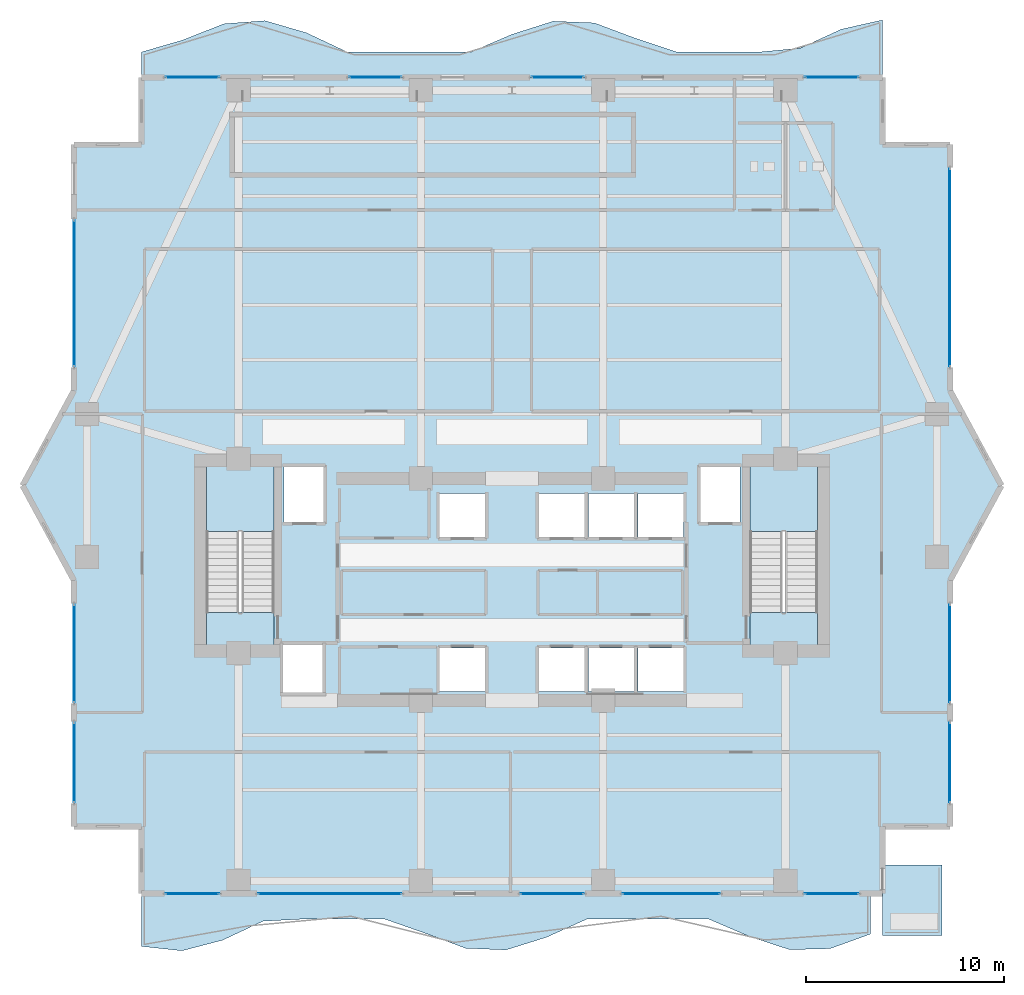
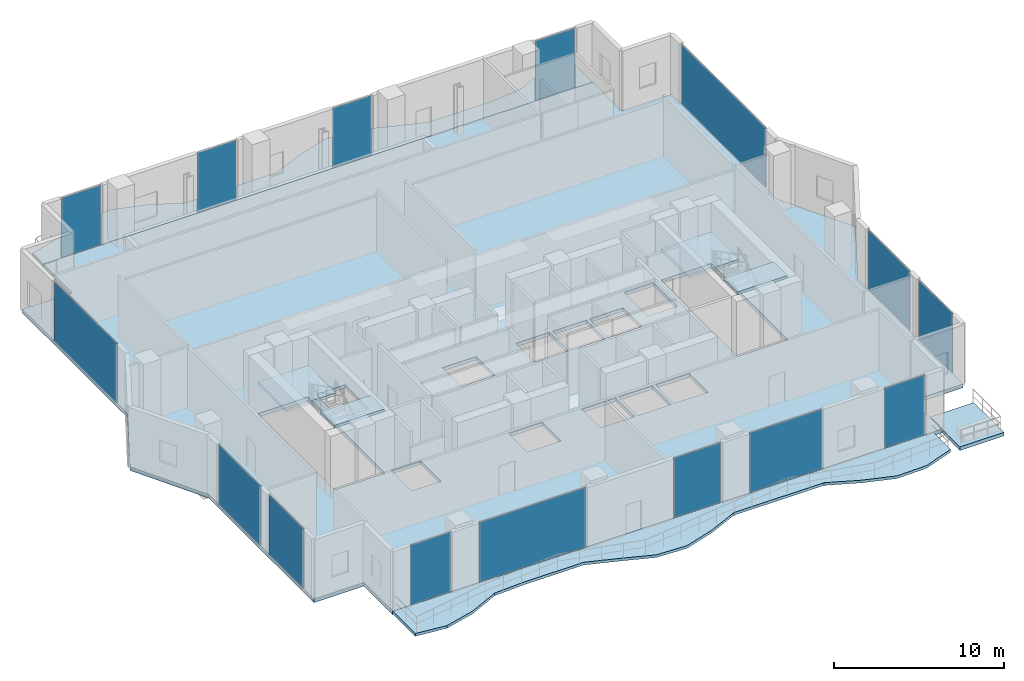
# One storey, part 24 of 33: 15 plates, 8 slabs, 17 elements without a shape of their own.
"""IFC4 building model written with IfcOpenShell, lengths in metres."""

from ifc_helpers import new_model, si_unit, direction, frame, origin, origin_2d, place, context, subcontext, project, spatial, polyline, rectangle, outline, extrude, material, layer, layer_set, type_object, element, aggregate, save


model = new_model("IFC4")

# Units and contexts
model_context = context("Model", 3, precision=1e-05, world=origin(), true_north=direction((0.0, 1.0)))
body_context = subcontext(model_context, "Body", "Model", "MODEL_VIEW")
ifc_project = project(units=[si_unit("LENGTHUNIT", "METRE"), si_unit("AREAUNIT", "SQUARE_METRE"), si_unit("VOLUMEUNIT", "CUBIC_METRE"), si_unit("PLANEANGLEUNIT", "RADIAN"), si_unit("MASSUNIT", "GRAM", prefix="KILO")], contexts=[model_context])

# Site, building, storey
site_placement = place(None, origin())
site = spatial("IfcSite", under=ifc_project, at=site_placement, CompositionType="ELEMENT")
building_placement = place(site_placement, origin())
building = spatial("IfcBuilding", under=site, at=building_placement, Name="Zuhayl Quay Hotel", CompositionType="ELEMENT")
storey_placement = place(building_placement, frame((0.0, 0.0, 168.199951171875)))
storey = spatial("IfcBuildingStorey", under=building, at=storey_placement, Name="L42", CompositionType="ELEMENT", Elevation=168.199951171875)

# Curtain wall, plate
ifc_material_1 = material(Name="Anodised Aluminium 6063-T6", Category="aluminium")
ifc_layer_1 = layer(ifc_material_1, 0.175048828125, Name="Anodised Aluminium 6063-T6", Category="aluminium")
ifc_layer_set_1 = layer_set([ifc_layer_1], Name="Anodised Aluminium 6063-T6")
curtain_wall_type = type_object("IfcCurtainWallType", Name="CW_SYS_Z3", PredefinedType="USERDEFINED", material=ifc_layer_set_1)
curtain_wall_1_placement = place(storey_placement, origin())
curtain_wall_1 = element("IfcCurtainWall", 1, at=curtain_wall_1_placement, inside=storey, type_object=curtain_wall_type, Name="L42 Curtain Wall ENV_L42_E02_CW1", ObjectType="UNITISED CURTAIN WALL", PredefinedType="USERDEFINED")
ifc_material_2 = material(Name="Dark Ceramic-Fritted Solar Glass", Category="glass")
ifc_layer_2 = layer(ifc_material_2, 0.0400390625, Name="Dark Ceramic-Fritted Solar Glass", Category="glass")
ifc_layer_set_2 = layer_set([ifc_layer_2], Name="Dark Ceramic-Fritted Solar Glass")
plate_type = type_object("IfcPlateType", Name="PN_OP_VENT_Z3", PredefinedType="CURTAIN_PANEL", material=ifc_layer_set_2)
plate_1_placement = place(storey_placement, frame((-22.10009765625, -0.97509765625, 0.054931640625), z_axis=(0.0, 0.0, 1.0), x_axis=(0.0, 1.0, 0.0)))
plate_1 = element("IfcPlate", 2, at=plate_1_placement, type_object=plate_type, Name="CW-Z3 panel 1.1", PredefinedType="CURTAIN_PANEL", context=body_context, shape_type="SweptSolid", body=[
    extrude(rectangle(XDim=4.02001953125, YDim=0.0400390625, at=origin_2d()), origin(), (0.0, 0.0, 1.0), 4.27001953125),
])
aggregate(curtain_wall_1, [plate_1])

curtain_wall_2_placement = place(storey_placement, origin())
curtain_wall_2 = element("IfcCurtainWall", 3, at=curtain_wall_2_placement, inside=storey, type_object=curtain_wall_type, Name="L42 Curtain Wall ENV_L42_E02_CW2", ObjectType="UNITISED CURTAIN WALL", PredefinedType="USERDEFINED")
plate_2_placement = place(storey_placement, frame((-22.10009765625, 4.52490234375, 0.054931640625), z_axis=(0.0, 0.0, 1.0), x_axis=(0.0, 1.0, 0.0)))
plate_2 = element("IfcPlate", 4, at=plate_2_placement, type_object=plate_type, Name="CW-Z3 panel 1.1", PredefinedType="CURTAIN_PANEL", context=body_context, shape_type="SweptSolid", body=[
    extrude(rectangle(XDim=4.919921875, YDim=0.0400390625, at=origin_2d()), origin(), (0.0, 0.0, 1.0), 4.27001953125),
])
aggregate(curtain_wall_2, [plate_2])

curtain_wall_3_placement = place(storey_placement, origin())
curtain_wall_3 = element("IfcCurtainWall", 5, at=curtain_wall_3_placement, inside=storey, type_object=curtain_wall_type, Name="L42 Curtain Wall ENV_L42_E05_CW1", ObjectType="UNITISED CURTAIN WALL", PredefinedType="USERDEFINED")
plate_3_placement = place(storey_placement, frame((-22.10009765625, 22.699951171875, 0.054931640625), z_axis=(0.0, 0.0, 1.0), x_axis=(0.0, 1.0, 0.0)))
plate_3 = element("IfcPlate", 6, at=plate_3_placement, type_object=plate_type, Name="CW-Z3 panel 1.1", PredefinedType="CURTAIN_PANEL", context=body_context, shape_type="SweptSolid", body=[
    extrude(rectangle(XDim=7.3701171875, YDim=0.0400390625, at=origin_2d()), origin(), (0.0, 0.0, 1.0), 4.27001953125),
])
aggregate(curtain_wall_3, [plate_3])

curtain_wall_4_placement = place(storey_placement, origin())
curtain_wall_4 = element("IfcCurtainWall", 7, at=curtain_wall_4_placement, inside=storey, type_object=curtain_wall_type, Name="L42 Curtain Wall ENV_L42_N_CW1", ObjectType="UNITISED CURTAIN WALL", PredefinedType="USERDEFINED")
plate_4_placement = place(storey_placement, frame((-16.135009765625, 33.60009765625, 0.054931640625), z_axis=(0.0, 0.0, 1.0), x_axis=(1.0, 0.0, 0.0)))
plate_4 = element("IfcPlate", 8, at=plate_4_placement, type_object=plate_type, Name="CW-Z3 panel 1.1", PredefinedType="CURTAIN_PANEL", context=body_context, shape_type="SweptSolid", body=[
    extrude(rectangle(XDim=2.699951171875, YDim=0.0400390625, at=origin_2d()), origin(), (0.0, 0.0, 1.0), 4.27001953125),
])
aggregate(curtain_wall_4, [plate_4])

curtain_wall_5_placement = place(storey_placement, origin())
curtain_wall_5 = element("IfcCurtainWall", 9, at=curtain_wall_5_placement, inside=storey, type_object=curtain_wall_type, Name="L42 Curtain Wall ENV_L42_N_CW2", ObjectType="UNITISED CURTAIN WALL", PredefinedType="USERDEFINED")
plate_5_placement = place(storey_placement, frame((-6.89990234375, 33.60009765625, 0.054931640625), z_axis=(0.0, 0.0, 1.0), x_axis=(1.0, 0.0, 0.0)))
plate_5 = element("IfcPlate", 10, at=plate_5_placement, type_object=plate_type, Name="CW-Z3 panel 1.1", PredefinedType="CURTAIN_PANEL", context=body_context, shape_type="SweptSolid", body=[
    extrude(rectangle(XDim=2.6298828125, YDim=0.0400390625, at=origin_2d()), origin(), (0.0, 0.0, 1.0), 4.27001953125),
])
aggregate(curtain_wall_5, [plate_5])

curtain_wall_6_placement = place(storey_placement, origin())
curtain_wall_6 = element("IfcCurtainWall", 11, at=curtain_wall_6_placement, inside=storey, type_object=curtain_wall_type, Name="L42 Curtain Wall ENV_L42_N_CW3", ObjectType="UNITISED CURTAIN WALL", PredefinedType="USERDEFINED")
plate_6_placement = place(storey_placement, frame((2.300048828125, 33.60009765625, 0.054931640625), z_axis=(0.0, 0.0, 1.0), x_axis=(1.0, 0.0, 0.0)))
plate_6 = element("IfcPlate", 12, at=plate_6_placement, type_object=plate_type, Name="CW-Z3 panel 1.1", PredefinedType="CURTAIN_PANEL", context=body_context, shape_type="SweptSolid", body=[
    extrude(rectangle(XDim=2.6298828125, YDim=0.0400390625, at=origin_2d()), origin(), (0.0, 0.0, 1.0), 4.27001953125),
])
aggregate(curtain_wall_6, [plate_6])

curtain_wall_7_placement = place(storey_placement, origin())
curtain_wall_7 = element("IfcCurtainWall", 13, at=curtain_wall_7_placement, inside=storey, type_object=curtain_wall_type, Name="L42 Curtain Wall ENV_L42_N_CW4", ObjectType="UNITISED CURTAIN WALL", PredefinedType="USERDEFINED")
plate_7_placement = place(storey_placement, frame((16.135009765625, 33.60009765625, 0.054931640625), z_axis=(0.0, 0.0, 1.0), x_axis=(1.0, 0.0, 0.0)))
plate_7 = element("IfcPlate", 14, at=plate_7_placement, type_object=plate_type, Name="CW-Z3 panel 1.1", PredefinedType="CURTAIN_PANEL", context=body_context, shape_type="SweptSolid", body=[
    extrude(rectangle(XDim=2.699951171875, YDim=0.0400390625, at=origin_2d()), origin(), (0.0, 0.0, 1.0), 4.27001953125),
])
aggregate(curtain_wall_7, [plate_7])

curtain_wall_8_placement = place(storey_placement, origin())
curtain_wall_8 = element("IfcCurtainWall", 15, at=curtain_wall_8_placement, inside=storey, type_object=curtain_wall_type, Name="L42 Curtain Wall ENV_L42_E11_CW1", ObjectType="UNITISED CURTAIN WALL", PredefinedType="USERDEFINED")
plate_8_placement = place(storey_placement, frame((22.10009765625, 24.0, 0.054931640625), z_axis=(0.0, 0.0, 1.0), x_axis=(0.0, -1.0, 0.0)))
plate_8 = element("IfcPlate", 16, at=plate_8_placement, type_object=plate_type, Name="CW-Z3 panel 1.1", PredefinedType="CURTAIN_PANEL", context=body_context, shape_type="SweptSolid", body=[
    extrude(rectangle(XDim=9.969970703125, YDim=0.0400390625, at=origin_2d()), origin(), (0.0, 0.0, 1.0), 4.27001953125),
])
aggregate(curtain_wall_8, [plate_8])

curtain_wall_9_placement = place(storey_placement, origin())
curtain_wall_9 = element("IfcCurtainWall", 17, at=curtain_wall_9_placement, inside=storey, type_object=curtain_wall_type, Name="L42 Curtain Wall ENV_L42_E14_CW1", ObjectType="UNITISED CURTAIN WALL", PredefinedType="USERDEFINED")
plate_9_placement = place(storey_placement, frame((22.10009765625, 4.52490234375, 0.054931640625), z_axis=(0.0, 0.0, 1.0), x_axis=(0.0, -1.0, 0.0)))
plate_9 = element("IfcPlate", 18, at=plate_9_placement, type_object=plate_type, Name="CW-Z3 panel 1.1", PredefinedType="CURTAIN_PANEL", context=body_context, shape_type="SweptSolid", body=[
    extrude(rectangle(XDim=4.919921875, YDim=0.0400390625, at=origin_2d()), origin(), (0.0, 0.0, 1.0), 4.27001953125),
])
aggregate(curtain_wall_9, [plate_9])

curtain_wall_10_placement = place(storey_placement, origin())
curtain_wall_10 = element("IfcCurtainWall", 19, at=curtain_wall_10_placement, inside=storey, type_object=curtain_wall_type, Name="L42 Curtain Wall ENV_L42_E14_CW2", ObjectType="UNITISED CURTAIN WALL", PredefinedType="USERDEFINED")
plate_10_placement = place(storey_placement, frame((22.10009765625, -0.97509765625, 0.054931640625), z_axis=(0.0, 0.0, 1.0), x_axis=(0.0, -1.0, 0.0)))
plate_10 = element("IfcPlate", 20, at=plate_10_placement, type_object=plate_type, Name="CW-Z3 panel 1.1", PredefinedType="CURTAIN_PANEL", context=body_context, shape_type="SweptSolid", body=[
    extrude(rectangle(XDim=4.02001953125, YDim=0.0400390625, at=origin_2d()), origin(), (0.0, 0.0, 1.0), 4.27001953125),
])
aggregate(curtain_wall_10, [plate_10])

curtain_wall_11_placement = place(storey_placement, origin())
curtain_wall_11 = element("IfcCurtainWall", 21, at=curtain_wall_11_placement, inside=storey, type_object=curtain_wall_type, Name="L42 Curtain Wall ENV_L42_S_CW1", ObjectType="UNITISED CURTAIN WALL", PredefinedType="USERDEFINED")
plate_11_placement = place(storey_placement, frame((16.135009765625, -7.60009765625, 0.054931640625), z_axis=(0.0, 0.0, 1.0), x_axis=(-1.0, 0.0, 0.0)))
plate_11 = element("IfcPlate", 22, at=plate_11_placement, type_object=plate_type, Name="CW-Z3 panel 1.1", PredefinedType="CURTAIN_PANEL", context=body_context, shape_type="SweptSolid", body=[
    extrude(rectangle(XDim=2.699951171875, YDim=0.0400390625, at=origin_2d()), origin(), (0.0, 0.0, 1.0), 4.27001953125),
])
aggregate(curtain_wall_11, [plate_11])

curtain_wall_12_placement = place(storey_placement, origin())
curtain_wall_12 = element("IfcCurtainWall", 23, at=curtain_wall_12_placement, inside=storey, type_object=curtain_wall_type, Name="L42 Curtain Wall ENV_L42_S_CW2", ObjectType="UNITISED CURTAIN WALL", PredefinedType="USERDEFINED")
plate_12_placement = place(storey_placement, frame((8.034912109375, -7.60009765625, 0.054931640625), z_axis=(0.0, 0.0, 1.0), x_axis=(-1.0, 0.0, 0.0)))
plate_12 = element("IfcPlate", 24, at=plate_12_placement, type_object=plate_type, Name="CW-Z3 panel 1.1", PredefinedType="CURTAIN_PANEL", context=body_context, shape_type="SweptSolid", body=[
    extrude(rectangle(XDim=4.89990234375, YDim=0.0400390625, at=origin_2d()), origin(), (0.0, 0.0, 1.0), 4.27001953125),
])
aggregate(curtain_wall_12, [plate_12])

curtain_wall_13_placement = place(storey_placement, origin())
curtain_wall_13 = element("IfcCurtainWall", 25, at=curtain_wall_13_placement, inside=storey, type_object=curtain_wall_type, Name="L42 Curtain Wall ENV_L42_S_CW3", ObjectType="UNITISED CURTAIN WALL", PredefinedType="USERDEFINED")
plate_13_placement = place(storey_placement, frame((2.02490234375, -7.60009765625, 0.054931640625), z_axis=(0.0, 0.0, 1.0), x_axis=(-1.0, 0.0, 0.0)))
plate_13 = element("IfcPlate", 26, at=plate_13_placement, type_object=plate_type, Name="CW-Z3 panel 1.1", PredefinedType="CURTAIN_PANEL", context=body_context, shape_type="SweptSolid", body=[
    extrude(rectangle(XDim=3.179931640625, YDim=0.0400390625, at=origin_2d()), origin(), (0.0, 0.0, 1.0), 4.27001953125),
])
aggregate(curtain_wall_13, [plate_13])

curtain_wall_14_placement = place(storey_placement, origin())
curtain_wall_14 = element("IfcCurtainWall", 27, at=curtain_wall_14_placement, inside=storey, type_object=curtain_wall_type, Name="L42 Curtain Wall ENV_L42_S_CW4", ObjectType="UNITISED CURTAIN WALL", PredefinedType="USERDEFINED")
plate_14_placement = place(storey_placement, frame((-9.199951171875, -7.60009765625, 0.054931640625), z_axis=(0.0, 0.0, 1.0), x_axis=(-1.0, 0.0, 0.0)))
plate_14 = element("IfcPlate", 28, at=plate_14_placement, type_object=plate_type, Name="CW-Z3 panel 1.1", PredefinedType="CURTAIN_PANEL", context=body_context, shape_type="SweptSolid", body=[
    extrude(rectangle(XDim=7.22998046875, YDim=0.0400390625, at=origin_2d()), origin(), (0.0, 0.0, 1.0), 4.27001953125),
])
aggregate(curtain_wall_14, [plate_14])

curtain_wall_15_placement = place(storey_placement, origin())
curtain_wall_15 = element("IfcCurtainWall", 29, at=curtain_wall_15_placement, inside=storey, type_object=curtain_wall_type, Name="L42 Curtain Wall ENV_L42_S_CW5", ObjectType="UNITISED CURTAIN WALL", PredefinedType="USERDEFINED")
plate_15_placement = place(storey_placement, frame((-16.135009765625, -7.60009765625, 0.054931640625), z_axis=(0.0, 0.0, 1.0), x_axis=(-1.0, 0.0, 0.0)))
plate_15 = element("IfcPlate", 30, at=plate_15_placement, type_object=plate_type, Name="CW-Z3 panel 1.1", PredefinedType="CURTAIN_PANEL", context=body_context, shape_type="SweptSolid", body=[
    extrude(rectangle(XDim=2.699951171875, YDim=0.0400390625, at=origin_2d()), origin(), (0.0, 0.0, 1.0), 4.27001953125),
])
aggregate(curtain_wall_15, [plate_15])

# Slabs
ifc_material_3 = material(Name="Concrete C45/55", Category="concrete")
ifc_layer_3 = layer(ifc_material_3, 0.195068359375, Name="Concrete C45/55", Category="concrete")
ifc_layer_set_3 = layer_set([ifc_layer_3], Name="Concrete C45/55")
slab_type_1 = type_object("IfcSlabType", Name="SL_BALCONY_195", PredefinedType="FLOOR", material=ifc_layer_set_3)
slab_1_placement = place(storey_placement, frame((0.0, 0.0, -0.195068359375)))
element("IfcSlab", 31, at=slab_1_placement, inside=storey, type_object=slab_type_1, Name="L42 Exterior Rippling Balcony Slab North", PredefinedType="FLOOR", context=body_context, shape_type="SweptSolid", body=[
    extrude(outline(polyline([(-18.699951171875, 33.60009765625), (18.699951171875, 33.60009765625), (18.699951171875, 36.49609375), (16.622314453125, 36.032470703125), (14.54443359375, 35.075927734375), (12.466796875, 34.8798828125), (10.388916015625, 34.8798828125), (8.31103515625, 34.8798828125), (6.2333984375, 35.573486328125), (4.155517578125, 36.35107421875), (2.077880859375, 36.435302734375), (0.0, 35.773193359375), (-2.077880859375, 34.8798828125), (-4.155517578125, 34.8798828125), (-6.2333984375, 34.8798828125), (-8.31103515625, 34.8798828125), (-10.388916015625, 35.85595703125), (-12.466796875, 36.46142578125), (-14.54443359375, 36.30419921875), (-16.622314453125, 35.483154296875), (-18.699951171875, 34.8798828125), (-18.699951171875, 33.60009765625)])), origin(), (0.0, 0.0, 1.0), 0.195068359375),
])
slab_2_placement = place(storey_placement, frame((0.0, 0.0, -0.195068359375)))
element("IfcSlab", 32, at=slab_2_placement, inside=storey, type_object=slab_type_1, Name="L42 Exterior Rippling Balcony Slab South", PredefinedType="FLOOR", context=body_context, shape_type="SweptSolid", body=[
    extrude(outline(polyline([(-18.699951171875, -10.26123046875), (-16.655517578125, -10.48095703125), (-14.611083984375, -9.948974609375), (-12.566650390625, -8.989990234375), (-10.522216796875, -8.8798828125), (-8.477783203125, -8.8798828125), (-6.433349609375, -8.8798828125), (-4.388916015625, -9.594482421875), (-2.344482421875, -10.353759765625), (-0.300048828125, -10.438720703125), (1.744384765625, -9.798095703125), (3.788818359375, -8.8798828125), (5.833251953125, -8.8798828125), (7.877685546875, -8.8798828125), (9.922119140625, -8.8798828125), (11.966796875, -9.75830078125), (14.010986328125, -10.424560546875), (16.0556640625, -10.37353515625), (18.10009765625, -9.63623046875), (18.10009765625, -7.60009765625), (-18.699951171875, -7.60009765625), (-18.699951171875, -10.26123046875)])), origin(), (0.0, 0.0, 1.0), 0.195068359375),
])
ifc_layer_4 = layer(ifc_material_3, 0.260009765625, Name="Concrete C45/55", Category="concrete")
ifc_layer_set_4 = layer_set([ifc_layer_4], Name="Concrete C45/55")
slab_type_2 = type_object("IfcSlabType", Name="SL_FLOOR_260", PredefinedType="FLOOR", material=ifc_layer_set_4)
slab_3_placement = place(storey_placement, frame((0.0, 0.0, -0.260009765625)))
element("IfcSlab", 33, at=slab_3_placement, inside=storey, type_object=slab_type_2, Name="L42 Structural Floor Slab", PredefinedType="FLOOR", context=body_context, shape_type="SweptSolid", body=[
    extrude(outline(polyline([(-18.699951171875, -7.60009765625), (18.699951171875, -7.60009765625), (18.699951171875, -4.199951171875), (22.10009765625, -4.199951171875), (22.10009765625, 8.199951171875), (24.699951171875, 13.0), (22.10009765625, 17.800048828125), (22.10009765625, 30.199951171875), (18.699951171875, 30.199951171875), (18.699951171875, 33.60009765625), (-18.699951171875, 33.60009765625), (-18.699951171875, 30.199951171875), (-22.10009765625, 30.199951171875), (-22.10009765625, 17.800048828125), (-24.699951171875, 13.0), (-22.10009765625, 8.199951171875), (-22.10009765625, -4.199951171875), (-18.699951171875, -4.199951171875), (-18.699951171875, -7.60009765625)]), holes=[polyline([(-12.0, 4.949951171875), (-12.0, 13.949951171875), (-15.429931640625, 13.949951171875), (-15.429931640625, 4.949951171875), (-12.0, 4.949951171875)]), polyline([(15.429931640625, 4.949951171875), (15.429931640625, 13.949951171875), (12.0, 13.949951171875), (12.0, 4.949951171875), (15.429931640625, 4.949951171875)]), polyline([(-11.5, 11.14990234375), (-9.5, 11.14990234375), (-9.5, 13.949951171875), (-11.5, 13.949951171875), (-11.5, 11.14990234375)]), polyline([(9.5, 11.14990234375), (11.5, 11.14990234375), (11.5, 13.949951171875), (9.5, 13.949951171875), (9.5, 11.14990234375)]), polyline([(-3.64990234375, 2.60009765625), (-1.35009765625, 2.60009765625), (-1.35009765625, 4.800048828125), (-3.64990234375, 4.800048828125), (-3.64990234375, 2.60009765625)]), polyline([(1.35009765625, 2.60009765625), (3.64990234375, 2.60009765625), (3.64990234375, 4.800048828125), (1.35009765625, 4.800048828125), (1.35009765625, 2.60009765625)]), polyline([(-3.64990234375, 10.39990234375), (-1.35009765625, 10.39990234375), (-1.35009765625, 12.60009765625), (-3.64990234375, 12.60009765625), (-3.64990234375, 10.39990234375)]), polyline([(1.35009765625, 10.39990234375), (3.64990234375, 10.39990234375), (3.64990234375, 12.60009765625), (1.35009765625, 12.60009765625), (1.35009765625, 10.39990234375)]), polyline([(3.85009765625, 2.60009765625), (6.14990234375, 2.60009765625), (6.14990234375, 4.800048828125), (3.85009765625, 4.800048828125), (3.85009765625, 2.60009765625)]), polyline([(6.35009765625, 2.60009765625), (8.64990234375, 2.60009765625), (8.64990234375, 4.800048828125), (6.35009765625, 4.800048828125), (6.35009765625, 2.60009765625)]), polyline([(3.85009765625, 10.39990234375), (6.14990234375, 10.39990234375), (6.14990234375, 12.60009765625), (3.85009765625, 12.60009765625), (3.85009765625, 10.39990234375)]), polyline([(6.35009765625, 10.39990234375), (8.64990234375, 10.39990234375), (8.64990234375, 12.60009765625), (6.35009765625, 12.60009765625), (6.35009765625, 10.39990234375)]), polyline([(-11.550048828125, 2.550048828125), (-9.550048828125, 2.550048828125), (-9.550048828125, 4.949951171875), (-11.550048828125, 4.949951171875), (-11.550048828125, 2.550048828125)])]), origin(), (0.0, 0.0, 1.0), 0.260009765625),
])

# Stair, slabs
stair_type = type_object("IfcStairType", Name="ST_DOGLEG_TOWER", PredefinedType="HALF_TURN_STAIR", material=ifc_material_3)
stair_1_placement = place(storey_placement, origin())
stair_1 = element("IfcStair", 34, at=stair_1_placement, inside=storey, type_object=stair_type, Name="L42 Smokeproof Exit Stair ST1", PredefinedType="HALF_TURN_STAIR")
ifc_layer_5 = layer(ifc_material_3, 0.199951171875, Name="Concrete C45/55", Category="concrete")
ifc_layer_set_5 = layer_set([ifc_layer_5], Name="Concrete C45/55")
slab_type_3 = type_object("IfcSlabType", Name="SL_STAIR_LANDING_200", PredefinedType="LANDING", material=ifc_layer_set_5)
slab_4_placement = place(storey_placement, frame((0.0, 0.0, 2.10009765625)))
slab_4 = element("IfcSlab", 35, at=slab_4_placement, type_object=slab_type_3, Name="ST1 landing 1", PredefinedType="LANDING", context=body_context, shape_type="SweptSolid", body=[
    extrude(outline(polyline([(-12.0, 10.669921875), (-12.0, 13.949951171875), (-15.429931640625, 13.949951171875), (-15.429931640625, 10.669921875), (-12.0, 10.669921875)])), origin(), (0.0, 0.0, 1.0), 0.199951171875),
])
slab_5_placement = place(storey_placement, frame((0.0, 0.0, 4.400146484375)))
slab_5 = element("IfcSlab", 36, at=slab_5_placement, type_object=slab_type_3, Name="ST1 landing 2", PredefinedType="LANDING", context=body_context, shape_type="SweptSolid", body=[
    extrude(outline(polyline([(-12.0, 4.949951171875), (-12.0, 6.590087890625), (-15.429931640625, 6.590087890625), (-15.429931640625, 4.949951171875), (-12.0, 4.949951171875)])), origin(), (0.0, 0.0, 1.0), 0.199951171875),
])
aggregate(stair_1, [slab_4, slab_5])

stair_2_placement = place(storey_placement, origin())
stair_2 = element("IfcStair", 37, at=stair_2_placement, inside=storey, type_object=stair_type, Name="L42 Smokeproof Exit Stair ST2", PredefinedType="HALF_TURN_STAIR")
slab_6_placement = place(storey_placement, frame((0.0, 0.0, 2.10009765625)))
slab_6 = element("IfcSlab", 38, at=slab_6_placement, type_object=slab_type_3, Name="ST2 landing 1", PredefinedType="LANDING", context=body_context, shape_type="SweptSolid", body=[
    extrude(outline(polyline([(15.429931640625, 10.669921875), (15.429931640625, 13.949951171875), (12.0, 13.949951171875), (12.0, 10.669921875), (15.429931640625, 10.669921875)])), origin(), (0.0, 0.0, 1.0), 0.199951171875),
])
slab_7_placement = place(storey_placement, frame((0.0, 0.0, 4.400146484375)))
slab_7 = element("IfcSlab", 39, at=slab_7_placement, type_object=slab_type_3, Name="ST2 landing 2", PredefinedType="LANDING", context=body_context, shape_type="SweptSolid", body=[
    extrude(outline(polyline([(15.429931640625, 4.949951171875), (15.429931640625, 6.590087890625), (12.0, 6.590087890625), (12.0, 4.949951171875), (15.429931640625, 4.949951171875)])), origin(), (0.0, 0.0, 1.0), 0.199951171875),
])
aggregate(stair_2, [slab_6, slab_7])

# Slab
ifc_layer_6 = layer(ifc_material_3, 0.219970703125, Name="Concrete C45/55", Category="concrete")
ifc_layer_set_6 = layer_set([ifc_layer_6], Name="Concrete C45/55")
slab_type_4 = type_object("IfcSlabType", Name="SL_TERRACE_235", PredefinedType="FLOOR", material=ifc_layer_set_6)
slab_8_placement = place(storey_placement, frame((0.0, 0.0, -0.260009765625)))
element("IfcSlab", 40, at=slab_8_placement, inside=storey, type_object=slab_type_4, Name="L42 Exterior Sky-Terrace Slab L42_SPIRAL_SE", PredefinedType="FLOOR", context=body_context, shape_type="SweptSolid", body=[
    extrude(outline(polyline([(18.699951171875, -9.699951171875), (21.699951171875, -9.699951171875), (21.699951171875, -6.14990234375), (18.699951171875, -6.14990234375), (18.699951171875, -9.699951171875)])), origin(), (0.0, 0.0, 1.0), 0.260009765625),
])

save(model, "model.ifc")
